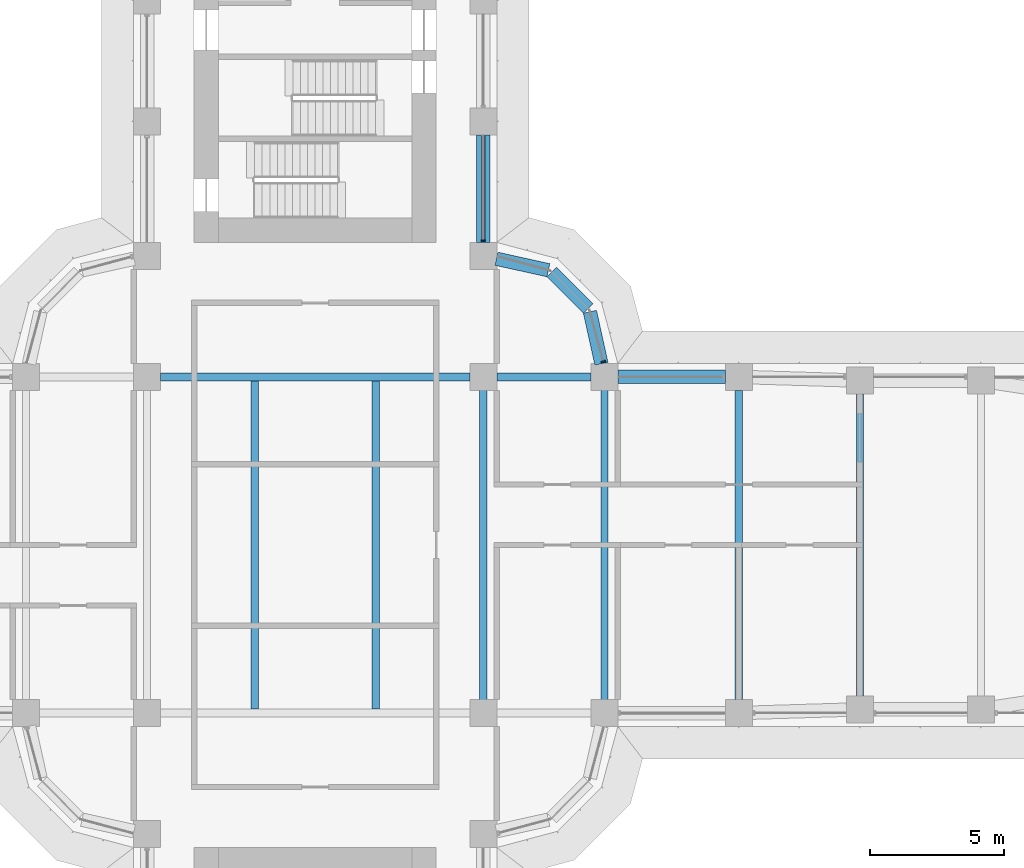
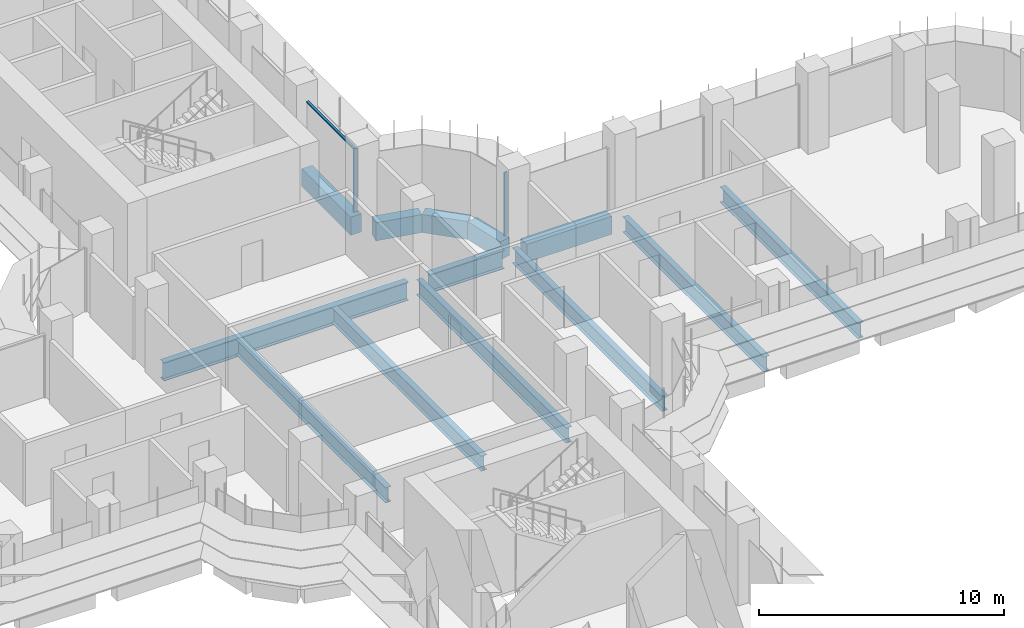
# One storey, part 8 of 23: 13 beams, 3 members, 2 elements without a shape of their own.
"""IFC4 building model written with IfcOpenShell, lengths in metres."""

from ifc_helpers import new_model, si_unit, direction, frame, origin, origin_2d, place, context, subcontext, project, spatial, polyline, rectangle, i_section, outline, extrude, source, transform, mapped, material, material_profile, profile_set, type_object, element, aggregate, save


model = new_model("IFC4")

# Units and contexts
model_context = context("Model", 3, precision=1e-05, world=origin(), true_north=direction((0.0, 1.0)))
body_context = subcontext(model_context, "Body", "Model", "MODEL_VIEW")
ifc_project = project(units=[si_unit("LENGTHUNIT", "METRE"), si_unit("AREAUNIT", "SQUARE_METRE"), si_unit("VOLUMEUNIT", "CUBIC_METRE"), si_unit("PLANEANGLEUNIT", "RADIAN"), si_unit("MASSUNIT", "GRAM", prefix="KILO")], contexts=[model_context])

# Site, building, storey
site_placement = place(None, origin())
site = spatial("IfcSite", under=ifc_project, at=site_placement, CompositionType="ELEMENT")
building_placement = place(site_placement, origin())
building = spatial("IfcBuilding", under=site, at=building_placement, Name="Zarbagh Exchange Tower", CompositionType="ELEMENT")
storey_placement = place(building_placement, frame((0.0, 0.0, 35.39990234375)))
storey = spatial("IfcBuildingStorey", under=building, at=storey_placement, Name="L07", CompositionType="ELEMENT", Elevation=35.39990234375)

# Beams
ifc_material_1 = material(Name="Steel ASTM A992 Gr 50", Category="steel")
ifc_material_profile_1 = material_profile(ifc_material_1, i_section(OverallWidth=0.2666015625, OverallDepth=0.76708984375, WebThickness=0.014892578125, FlangeThickness=0.023681640625, at=origin_2d()), Name="W30X124")
ifc_profile_set_1 = profile_set([ifc_material_profile_1], Name="Steel ASTM A992 Gr 50")
beam_type_1 = type_object("IfcBeamType", Name="Floor beam W30X124", PredefinedType="BEAM", material=ifc_profile_set_1)
for number, where, z_axis, x_axis, name in (
    (1, (-2.25, -6.09765625, -0.533447265625), (0.0, 1.0, 0.0), (-1.0, 0.0, 0.0), "Steel floor beam"),
    (2, (2.25, -6.09765625, -0.533447265625), (0.0, 1.0, 0.0), (-1.0, 0.0, 0.0), "Steel floor beam"),
    (3, (6.25, -6.09765625, -0.533447265625), (0.0, 1.0, 0.0), (-1.0, 0.0, 0.0), "Steel floor beam"),
    (4, (10.75, -6.09765625, -0.533447265625), (0.0, 1.0, 0.0), (-1.0, 0.0, 0.0), "Steel floor beam"),
):
    element("IfcBeam", number, at=place(storey_placement, frame(where, z_axis=z_axis, x_axis=x_axis)), inside=storey, type_object=beam_type_1, Name=name, PredefinedType="BEAM", context=body_context, shape_type="SweptSolid", body=[
        extrude(i_section(OverallWidth=0.2666015625, OverallDepth=0.76708984375, WebThickness=0.014892578125, FlangeThickness=0.023681640625, at=origin_2d()), origin(), (0.0, 0.0, 1.0), 12.1953125),
    ])
beam_1_placement = place(storey_placement, frame((15.75, -5.75, -0.533447265625), z_axis=(0.0, 1.0, 0.0), x_axis=(-1.0, 0.0, 0.0)))
element("IfcBeam", 5, at=beam_1_placement, inside=storey, type_object=beam_type_1, Name="Steel floor beam", PredefinedType="BEAM", context=body_context, shape_type="SweptSolid", body=[
    extrude(i_section(OverallWidth=0.2666015625, OverallDepth=0.76708984375, WebThickness=0.014892578125, FlangeThickness=0.023681640625, at=origin_2d()), origin(), (0.0, 0.0, 1.0), 11.5),
])
beam_2_placement = place(storey_placement, frame((20.25, -5.610107421875, -0.533447265625), z_axis=(0.0, 1.0, 0.0), x_axis=(-1.0, 0.0, 0.0)))
element("IfcBeam", 6, at=beam_2_placement, inside=storey, type_object=beam_type_1, Name="Steel floor beam", PredefinedType="BEAM", context=body_context, shape_type="SweptSolid", body=[
    extrude(i_section(OverallWidth=0.2666015625, OverallDepth=0.76708984375, WebThickness=0.014892578125, FlangeThickness=0.023681640625, at=origin_2d()), origin(), (0.0, 0.0, 1.0), 11.22021484375),
])
ifc_material_profile_2 = material_profile(ifc_material_1, i_section(OverallWidth=0.3046875, OverallDepth=0.91943359375, WebThickness=0.017333984375, FlangeThickness=0.02783203125, at=origin_2d()), Name="W36X170")
ifc_profile_set_2 = profile_set([ifc_material_profile_2], Name="Steel ASTM A992 Gr 50")
beam_type_2 = type_object("IfcBeamType", Name="Floor girder W36X170", PredefinedType="BEAM", material=ifc_profile_set_2)
beam_3_placement = place(storey_placement, frame((-5.75, 6.25, -0.609619140625), z_axis=(1.0, 0.0, 0.0), x_axis=(0.0, 1.0, 0.0)))
element("IfcBeam", 7, at=beam_3_placement, inside=storey, type_object=beam_type_2, Name="Steel girder", PredefinedType="BEAM", context=body_context, shape_type="SweptSolid", body=[
    extrude(i_section(OverallWidth=0.3046875, OverallDepth=0.91943359375, WebThickness=0.017333984375, FlangeThickness=0.02783203125, at=origin_2d()), origin(), (0.0, 0.0, 1.0), 11.5),
])
beam_4_placement = place(storey_placement, frame((6.75, 6.25, -0.609619140625), z_axis=(1.0, 0.0, 0.0), x_axis=(0.0, 1.0, 0.0)))
element("IfcBeam", 8, at=beam_4_placement, inside=storey, type_object=beam_type_2, Name="Steel girder", PredefinedType="BEAM", context=body_context, shape_type="SweptSolid", body=[
    extrude(i_section(OverallWidth=0.3046875, OverallDepth=0.91943359375, WebThickness=0.017333984375, FlangeThickness=0.02783203125, at=origin_2d()), origin(), (0.0, 0.0, 1.0), 3.5),
])
ifc_material_2 = material(Name="Concrete C60/75", Category="concrete")
ifc_material_profile_3 = material_profile(ifc_material_2, rectangle(XDim=0.5, YDim=0.89990234375, at=origin_2d()), Name="RC spandrel beam 500 x 900 C60/75")
ifc_profile_set_3 = profile_set([ifc_material_profile_3], Name="Concrete C60/75")
beam_type_3 = type_object("IfcBeamType", Name="RC spandrel beam 500 x 900 C60/75", PredefinedType="SPANDREL", material=ifc_profile_set_3)
beam_5_placement = place(storey_placement, frame((6.25, 15.25, -0.599853515625), z_axis=(0.0, -1.0, 0.0), x_axis=(1.0, 0.0, 0.0)))
element("IfcBeam", 9, at=beam_5_placement, inside=storey, type_object=beam_type_3, Name="RC spandrel beam", PredefinedType="SPANDREL", context=body_context, shape_type="SweptSolid", body=[
    extrude(rectangle(XDim=0.5, YDim=0.89990234375, at=origin_2d()), origin(), (0.0, 0.0, 1.0), 4.0),
])
beam_6_placement = place(storey_placement, frame((6.73828125, 10.64208984375, -0.599853515625), z_axis=(0.976375426825, -0.216081063242, 0.0), x_axis=(0.216081063242, 0.976375426825, 0.0)))
element("IfcBeam", 10, at=beam_6_placement, inside=storey, type_object=beam_type_3, Name="RC spandrel beam", PredefinedType="SPANDREL", context=body_context, shape_type="SweptSolid", body=[
    extrude(rectangle(XDim=0.5, YDim=0.89990234375, at=origin_2d()), origin(), (0.0, 0.0, 1.0), 1.978271484375),
])
beam_7_placement = place(storey_placement, frame((8.792724609375, 10.147216796875, -0.599853515625), z_axis=(0.707106781187, -0.707106781187, 0.0), x_axis=(0.707106781187, 0.707106781187, 0.0)))
element("IfcBeam", 11, at=beam_7_placement, inside=storey, type_object=beam_type_3, Name="RC spandrel beam", PredefinedType="SPANDREL", context=body_context, shape_type="SweptSolid", body=[
    extrude(rectangle(XDim=0.5, YDim=0.89990234375, at=origin_2d()), origin(), (0.0, 0.0, 1.0), 1.91552734375),
])
beam_8_placement = place(storey_placement, frame((10.214599609375, 8.669921875, -0.599853515625), z_axis=(0.216081063242, -0.976375426825, 0.0), x_axis=(0.976375426825, 0.216081063242, 0.0)))
element("IfcBeam", 12, at=beam_8_placement, inside=storey, type_object=beam_type_3, Name="RC spandrel beam", PredefinedType="SPANDREL", context=body_context, shape_type="SweptSolid", body=[
    extrude(rectangle(XDim=0.5, YDim=0.89990234375, at=origin_2d()), origin(), (0.0, 0.0, 1.0), 1.978271484375),
])
beam_9_placement = place(storey_placement, frame((11.25, 6.25, -0.599853515625), z_axis=(1.0, 0.0, 0.0), x_axis=(0.0, 1.0, 0.0)))
element("IfcBeam", 13, at=beam_9_placement, inside=storey, type_object=beam_type_3, Name="RC spandrel beam", PredefinedType="SPANDREL", context=body_context, shape_type="SweptSolid", body=[
    extrude(rectangle(XDim=0.5, YDim=0.89990234375, at=origin_2d()), origin(), (0.0, 0.0, 1.0), 4.0),
])

# Curtain wall, member
ifc_material_3 = material(Name="Anodised aluminium frame and glazing", Category="aluminium")
curtain_wall_type = type_object("IfcCurtainWallType", Name="CWA Ribbon glazing, lower zones", PredefinedType="NOTDEFINED", material=ifc_material_3)
curtain_wall_1_placement = place(storey_placement, origin())
curtain_wall_1 = element("IfcCurtainWall", 14, at=curtain_wall_1_placement, inside=storey, type_object=curtain_wall_type, Name="CWA17 curtain wall", PredefinedType="NOTDEFINED")
ifc_material_4 = material(Name="Anodised aluminium frame", Category="aluminium")
member_type_1 = type_object("IfcMemberType", Name="MUA Mullion, anodised aluminium frame", PredefinedType="MULLION", material=ifc_material_4)
shared_shape_1 = source(origin(), body_context, "Body", "SweptSolid", [
    extrude(outline(polyline([(0.0, -0.080078125), (0.06005859375, -0.080078125), (0.06005859375, 0.080078125), (0.0, 0.080078125), (0.0, -0.080078125)])), origin(), (0.0, 0.0, 1.0), 3.14990234375),
])
placement = place(storey_placement, origin())
member_1 = element("IfcMember", 15, at=placement, type_object=member_type_1, Name="CWA17 mullion 1.1", PredefinedType="MULLION", context=body_context, shape_type="MappedRepresentation", body=[
    mapped(shared_shape_1, transform((10.7216796875, 6.7900390625, 0.0), x_axis=(-0.258824779902, 0.965924289636, 0.0), y_axis=(-0.965924289636, -0.258824779902, 0.0), z_axis=(0.0, 0.0, 1.0))),
])
aggregate(curtain_wall_1, [member_1])

# Curtain wall, members
curtain_wall_2_placement = place(storey_placement, origin())
curtain_wall_2 = element("IfcCurtainWall", 16, at=curtain_wall_2_placement, inside=storey, type_object=curtain_wall_type, Name="CWA20 curtain wall", PredefinedType="NOTDEFINED")
member_2 = element("IfcMember", 17, at=placement, type_object=member_type_1, Name="CWA20 mullion 1.1", PredefinedType="MULLION", context=body_context, shape_type="MappedRepresentation", body=[
    mapped(shared_shape_1, transform((6.25, 11.2900390625, 0.0), x_axis=(0.0, 1.0, 0.0), y_axis=(-1.0, 0.0, 0.0), z_axis=(0.0, 0.0, 1.0))),
])
member_type_2 = type_object("IfcMemberType", Name="TRA Transom, anodised aluminium frame", PredefinedType="USERDEFINED", material=ifc_material_4)
shared_shape_2 = source(origin(), body_context, "Body", "SweptSolid", [
    extrude(outline(polyline([(-0.06005859375, -0.06005859375), (0.0, -0.06005859375), (0.0, 0.06005859375), (-0.06005859375, 0.06005859375), (-0.06005859375, -0.06005859375)])), origin(), (0.0, 0.0, 1.0), 3.860107421875),
])
member_3 = element("IfcMember", 18, at=placement, type_object=member_type_2, Name="CWA20 transom 1.1", ObjectType="TRANSOM", PredefinedType="USERDEFINED", context=body_context, shape_type="MappedRepresentation", body=[
    mapped(shared_shape_2, transform((6.25, 11.35009765625, 3.150146484375), x_axis=(0.0, 0.0, 1.0), y_axis=(1.0, 0.0, 0.0), z_axis=(0.0, 1.0, 0.0))),
])
aggregate(curtain_wall_2, [member_2, member_3])

save(model, "model.ifc")
